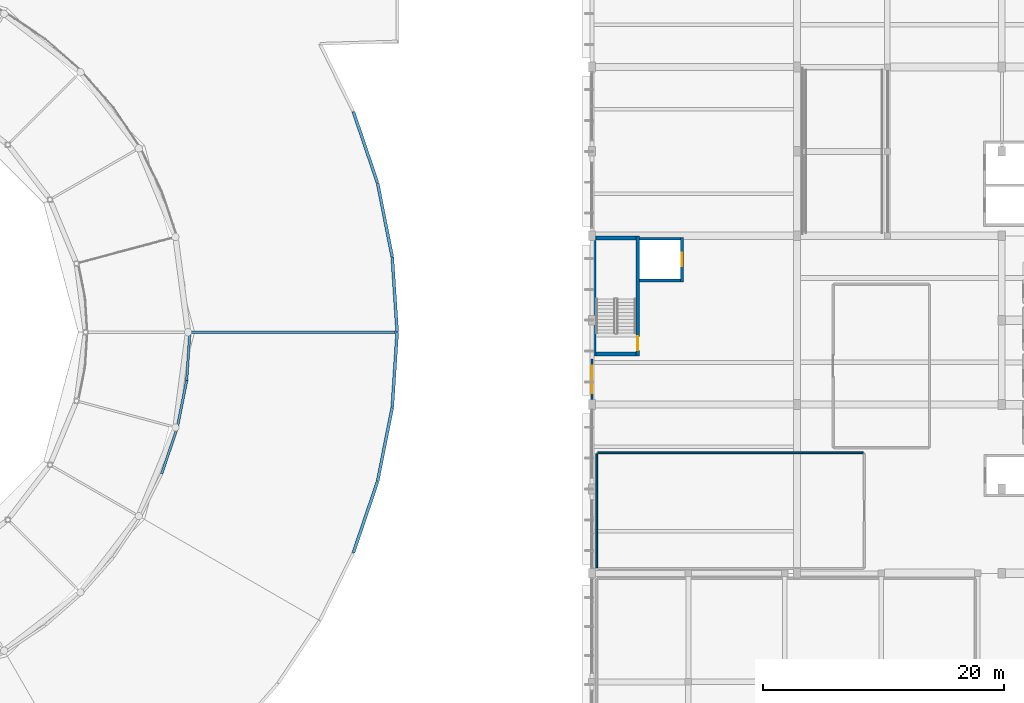
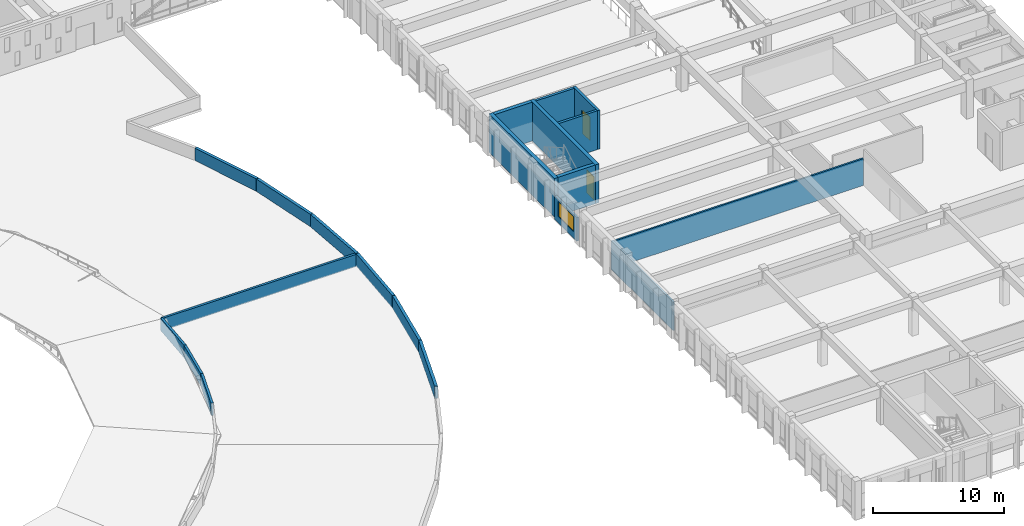
# One storey, part 54 of 77: 20 walls, 2 doors, 1 window, 3 openings.
"""IFC4 building model written with IfcOpenShell, lengths in metres."""

from ifc_helpers import new_model, si_unit, direction, frame, frame_2d, origin, place, context, subcontext, project, spatial, rectangle, extrude, material, layer, layer_set, type_object, element, fill, save


model = new_model("IFC4")

# Units and contexts
model_context = context("Model", 3, precision=1e-05, world=origin(), true_north=direction((0.0, 1.0)))
body_context = subcontext(model_context, "Body", "Model", "MODEL_VIEW")
ifc_project = project(units=[si_unit("LENGTHUNIT", "METRE"), si_unit("AREAUNIT", "SQUARE_METRE"), si_unit("VOLUMEUNIT", "CUBIC_METRE"), si_unit("PLANEANGLEUNIT", "RADIAN"), si_unit("MASSUNIT", "GRAM", prefix="KILO")], contexts=[model_context])

# Site, building, storey
site_placement = place(None, origin())
site = spatial("IfcSite", under=ifc_project, at=site_placement, CompositionType="ELEMENT")
building_placement = place(site_placement, origin())
building = spatial("IfcBuilding", under=site, at=building_placement, Name="Larkveld Mobility Hub", CompositionType="ELEMENT")
storey_placement = place(building_placement, frame((0.0, 0.0, 12.0)))
storey = spatial("IfcBuildingStorey", under=building, at=storey_placement, Name="L03", CompositionType="ELEMENT", Elevation=12.0)

# Wall, opening, window
ifc_material_1 = material(Name="Glazed architectural ceramic masonry 20 MPa", Category="masonry")
ifc_layer_1 = layer(ifc_material_1, 0.179931640625, Name="Glazed architectural ceramic masonry 20 MPa", Category="masonry")
ifc_layer_set_1 = layer_set([ifc_layer_1], Name="Glazed architectural ceramic masonry 20 MPa")
wall_type_1 = type_object("IfcWallType", Name="WL-COB-180", PredefinedType="USERDEFINED", material=ifc_layer_set_1)
wall_1_placement = place(storey_placement, frame((112.0, 45.77001953125, 0.0), z_axis=(0.0, 0.0, 1.0), x_axis=(0.0, -1.0, 0.0)))
wall_1 = element("IfcWall", 1, at=wall_1_placement, inside=storey, type_object=wall_type_1, Name="EV Wing West Ventilated Facade L03-0234", ObjectType="CERAMIC COBOGO SCREEN", PredefinedType="USERDEFINED", context=body_context, shape_type="SweptSolid", body=[
    extrude(rectangle(XDim=3.360107421875, YDim=0.179931640625, at=frame_2d((1.68017578125, 0.0))), origin(), (0.0, 0.0, 1.0), 2.195068359375),
])
opening_1_placement = place(wall_1_placement, frame((0.530029296875, 0.0, 0.594970703125)))
opening_1 = element("IfcOpeningElement", 2, at=opening_1_placement, cuts=wall_1, Name="Opening W26", PredefinedType="OPENING", context=body_context, shape_type="SweptSolid", body=[
    extrude(rectangle(XDim=2.300048828125, YDim=1.39990234375, at=frame_2d((1.14990234375, 0.699951171875))), frame((0.0, 0.10009765625, 0.0), z_axis=(0.0, -1.0, 0.0), x_axis=(1.0, 0.0, 0.0)), (0.0, 0.0, 1.0), 0.199951171875),
])
ifc_material_2 = material(Name="Low-E double glazing in aluminium frame", Category="aluminium")
window_type = type_object("IfcWindowType", Name="WN-ALU-26", PartitioningType="SINGLE_PANEL", PredefinedType="WINDOW", material=ifc_material_2)
window_placement = place(opening_1_placement, origin())
window = element("IfcWindow", 3, at=window_placement, inside=storey, type_object=window_type, Name="Window W26 (1058)", OverallHeight=1.39990234375, OverallWidth=2.300048828125, PartitioningType="SINGLE_PANEL", PredefinedType="WINDOW", context=body_context, shape_type="SweptSolid", body=[
    extrude(rectangle(XDim=2.300048828125, YDim=1.39990234375, at=frame_2d((1.14990234375, 0.699951171875))), frame((0.0, 0.030029296875, 0.0), z_axis=(0.0, -1.0, 0.0), x_axis=(1.0, 0.0, 0.0)), (0.0, 0.0, 1.0), 0.06005859375),
])
fill(opening_1, window)

# Walls
ifc_material_3 = material(Name="Fired clay brick 25 MPa", Category="masonry")
ifc_layer_2 = layer(ifc_material_3, 0.199951171875, Name="Fired clay brick 25 MPa", Category="masonry")
ifc_layer_set_2 = layer_set([ifc_layer_2], Name="Fired clay brick 25 MPa")
wall_type_2 = type_object("IfcWallType", Name="WL-PAR-200", PredefinedType="PARAPET", material=ifc_layer_set_2)
wall_2_placement = place(storey_placement, frame((76.31689453125, 36.27099609375, 0.0), z_axis=(0.0, 0.0, 1.0), x_axis=(0.321557700371, 0.946889985865, 0.0)))
element("IfcWall", 4, at=wall_2_placement, inside=storey, type_object=wall_type_2, Name="Drum Flat Roof Inner Parapet 0325", PredefinedType="PARAPET", context=body_context, shape_type="SweptSolid", body=[
    extrude(rectangle(XDim=4.0087890625, YDim=0.199951171875, at=frame_2d((2.00439453125, 0.0))), origin(), (0.0, 0.0, 1.0), 1.14990234375),
])
wall_3_placement = place(storey_placement, frame((77.60595703125, 40.06689453125, 0.0), z_axis=(0.0, 0.0, 1.0), x_axis=(0.195050336869, 0.980793233096, 0.0)))
element("IfcWall", 5, at=wall_3_placement, inside=storey, type_object=wall_type_2, Name="Drum Flat Roof Inner Parapet 0326", PredefinedType="PARAPET", context=body_context, shape_type="SweptSolid", body=[
    extrude(rectangle(XDim=4.009033203125, YDim=0.199951171875, at=frame_2d((2.00439453125, 0.0))), origin(), (0.0, 0.0, 1.0), 1.14990234375),
])
wall_4_placement = place(storey_placement, frame((78.387939453125, 43.9990234375, 0.0), z_axis=(0.0, 0.0, 1.0), x_axis=(0.065334844062, 0.997863396539, 0.0)))
element("IfcWall", 6, at=wall_4_placement, inside=storey, type_object=wall_type_2, Name="Drum Flat Roof Inner Parapet 0327", PredefinedType="PARAPET", context=body_context, shape_type="SweptSolid", body=[
    extrude(rectangle(XDim=4.009521484375, YDim=0.199951171875, at=frame_2d((2.0048828125, 0.0))), origin(), (0.0, 0.0, 1.0), 1.14990234375),
])
wall_5_placement = place(storey_placement, frame((78.64990234375, 48.0, 0.0), z_axis=(0.0, 0.0, 1.0), x_axis=(1.0, 0.0, 0.0)))
element("IfcWall", 7, at=wall_5_placement, inside=storey, type_object=wall_type_2, Name="Drum Flat Roof End Parapet K48 0328", PredefinedType="PARAPET", context=body_context, shape_type="SweptSolid", body=[
    extrude(rectangle(XDim=17.0, YDim=0.199951171875, at=frame_2d((8.5, 0.0))), origin(), (0.0, 0.0, 1.0), 1.14990234375),
])
ifc_layer_3 = layer(ifc_material_3, 0.25, Name="Fired clay brick 25 MPa", Category="masonry")
ifc_layer_set_3 = layer_set([ifc_layer_3], Name="Fired clay brick 25 MPa")
wall_type_3 = type_object("IfcWallType", Name="WL-PAR-250", PredefinedType="PARAPET", material=ifc_layer_set_3)
wall_6_placement = place(storey_placement, frame((95.847900390625, 48.02392578125, 0.0), z_axis=(0.0, 0.0, 1.0), x_axis=(-0.065170180182, 0.997874164219, 0.0)))
element("IfcWall", 8, at=wall_6_placement, inside=storey, type_object=wall_type_3, Name="Drum Uniform Outer Brick Parapet 0250", PredefinedType="PARAPET", context=body_context, shape_type="SweptSolid", body=[
    extrude(rectangle(XDim=6.211181640625, YDim=0.25, at=frame_2d((3.10546875, 0.0))), origin(), (0.0, 0.0, 1.0), 1.14990234375),
])
wall_7_placement = place(storey_placement, frame((95.43603515625, 54.27001953125, 0.0), z_axis=(0.0, 0.0, 1.0), x_axis=(-0.195019632022, 0.980799338869, 0.0)))
element("IfcWall", 9, at=wall_7_placement, inside=storey, type_object=wall_type_3, Name="Drum Uniform Outer Brick Parapet 0251", PredefinedType="PARAPET", context=body_context, shape_type="SweptSolid", body=[
    extrude(rectangle(XDim=6.209228515625, YDim=0.25, at=frame_2d((3.1044921875, 0.0))), origin(), (0.0, 0.0, 1.0), 1.14990234375),
])
for number, where, z_axis, x_axis, name in (
    (10, (94.2119140625, 60.406982421875, 0.0), (0.0, 0.0, 1.0), (-0.321364960579, 0.946955417172, 0.0), "Drum Uniform Outer Brick Parapet 0252"),
    (11, (92.216064453125, 29.7119140625, 0.0), (0.0, 0.0, 1.0), (0.321364960579, 0.946955417172, 0.0), "Drum Uniform Outer Brick Parapet 0293"),
):
    element("IfcWall", number, at=place(storey_placement, frame(where, z_axis=z_axis, x_axis=x_axis)), inside=storey, type_object=wall_type_3, Name=name, PredefinedType="PARAPET", context=body_context, shape_type="SweptSolid", body=[
        extrude(rectangle(XDim=6.21044921875, YDim=0.25, at=frame_2d((3.105224609375, 0.0))), origin(), (0.0, 0.0, 1.0), 1.14990234375),
    ])
wall_8_placement = place(storey_placement, frame((94.22509765625, 35.639892578125, 0.0), z_axis=(0.0, 0.0, 1.0), x_axis=(0.195019632022, 0.980799338869, 0.0)))
element("IfcWall", 12, at=wall_8_placement, inside=storey, type_object=wall_type_3, Name="Drum Uniform Outer Brick Parapet 0294", PredefinedType="PARAPET", context=body_context, shape_type="SweptSolid", body=[
    extrude(rectangle(XDim=6.209228515625, YDim=0.25, at=frame_2d((3.1044921875, 0.0))), origin(), (0.0, 0.0, 1.0), 1.14990234375),
])
wall_9_placement = place(storey_placement, frame((95.443115234375, 41.778076171875, 0.0), z_axis=(0.0, 0.0, 1.0), x_axis=(0.065170180182, 0.997874164219, 0.0)))
element("IfcWall", 13, at=wall_9_placement, inside=storey, type_object=wall_type_3, Name="Drum Uniform Outer Brick Parapet 0295", PredefinedType="PARAPET", context=body_context, shape_type="SweptSolid", body=[
    extrude(rectangle(XDim=6.211181640625, YDim=0.25, at=frame_2d((3.10546875, 0.0))), origin(), (0.0, 0.0, 1.0), 1.14990234375),
])
ifc_material_4 = material(Name="Concrete blockwork masonry 14 MPa", Category="masonry")
ifc_layer_4 = layer(ifc_material_4, 0.14990234375, Name="Concrete blockwork masonry 14 MPa", Category="masonry")
ifc_layer_set_4 = layer_set([ifc_layer_4], Name="Concrete blockwork masonry 14 MPa")
wall_type_4 = type_object("IfcWallType", Name="WL-PRT-150", PredefinedType="PARTITIONING", material=ifc_layer_set_4)
wall_10_placement = place(storey_placement, frame((112.47998046875, 38.0, 0.0), z_axis=(0.0, 0.0, 1.0), x_axis=(1.0, 0.0, 0.0)))
element("IfcWall", 14, at=wall_10_placement, inside=storey, type_object=wall_type_4, Name="Public Transport Customer Service Office Partition 0175", PredefinedType="PARTITIONING", context=body_context, shape_type="SweptSolid", body=[
    extrude(rectangle(XDim=22.0400390625, YDim=0.14990234375, at=frame_2d((11.02001953125, 0.0))), origin(), (0.0, 0.0, 1.0), 2.4951171875),
])
wall_11_placement = place(storey_placement, frame((112.39990234375, 28.47998046875, 0.0), z_axis=(0.0, 0.0, 1.0), x_axis=(0.0, 1.0, 0.0)))
element("IfcWall", 15, at=wall_11_placement, inside=storey, type_object=wall_type_4, Name="Public Transport Customer Service Office Partition 0176", PredefinedType="PARTITIONING", context=body_context, shape_type="SweptSolid", body=[
    extrude(rectangle(XDim=9.43994140625, YDim=0.14990234375, at=frame_2d((4.719970703125, 0.0))), origin(), (0.0, 0.0, 1.0), 2.655029296875),
])

# Wall, opening, door
ifc_material_5 = material(Name="Concrete C40/50", Category="concrete")
ifc_layer_5 = layer(ifc_material_5, 0.219970703125, Name="Concrete C40/50", Category="concrete")
ifc_layer_set_5 = layer_set([ifc_layer_5], Name="Concrete C40/50")
wall_type_5 = type_object("IfcWallType", Name="WL-SHF-220", PredefinedType="SHEAR", material=ifc_layer_set_5)
wall_12_placement = place(storey_placement, frame((119.469970703125, 55.8701171875, 0.0), z_axis=(0.0, 0.0, 1.0), x_axis=(0.0, -1.0, 0.0)))
wall_12 = element("IfcWall", 16, at=wall_12_placement, inside=storey, type_object=wall_type_5, Name="Lift PL2 Shaft Wall L03-E", PredefinedType="SHEAR", context=body_context, shape_type="SweptSolid", body=[
    extrude(rectangle(XDim=3.690185546875, YDim=0.219970703125, at=frame_2d((1.84521484375, 0.0))), origin(), (0.0, 0.0, 1.0), 3.60009765625),
])
opening_2_placement = place(wall_12_placement, frame((1.294921875, 0.0, 0.0)))
opening_2 = element("IfcOpeningElement", 17, at=opening_2_placement, cuts=wall_12, Name="Opening LD01", PredefinedType="OPENING", context=body_context, shape_type="SweptSolid", body=[
    extrude(rectangle(XDim=1.10009765625, YDim=2.199951171875, at=frame_2d((0.550048828125, 1.10009765625))), frame((0.0, 0.1201171875, 0.0), z_axis=(0.0, -1.0, 0.0), x_axis=(1.0, 0.0, 0.0)), (0.0, 0.0, 1.0), 0.239990234375),
])
ifc_material_6 = material(Name="Brushed stainless Steel S355JR sliding landing door", Category="steel")
door_type_1 = type_object("IfcDoorType", Name="DR-LD-110", OperationType="DOUBLE_DOOR_SLIDING", PredefinedType="DOOR", material=ifc_material_6)
door_1_placement = place(opening_2_placement, origin())
door_1 = element("IfcDoor", 18, at=door_1_placement, inside=storey, type_object=door_type_1, Name="Lift landing door PL2-L03", OperationType="DOUBLE_DOOR_SLIDING", OverallHeight=2.199951171875, OverallWidth=1.10009765625, PredefinedType="DOOR", context=body_context, shape_type="SweptSolid", body=[
    extrude(rectangle(XDim=1.10009765625, YDim=2.199951171875, at=frame_2d((0.550048828125, 1.10009765625))), frame((0.0, 0.02490234375, 0.0), z_axis=(0.0, -1.0, 0.0), x_axis=(1.0, 0.0, 0.0)), (0.0, 0.0, 1.0), 0.050048828125),
])
fill(opening_2, door_1)

# Walls
for number, where, z_axis, x_axis, name in (
    (19, (119.360107421875, 52.2900390625, 0.0), (0.0, 0.0, 1.0), (-1.0, 0.0, 0.0), "Lift PL2 Shaft Wall L03-S"),
    (20, (115.9599609375, 55.760009765625, 0.0), (0.0, 0.0, 1.0), (1.0, 0.0, 0.0), "Lift PL2 Shaft Wall L03-N"),
):
    element("IfcWall", number, at=place(storey_placement, frame(where, z_axis=z_axis, x_axis=x_axis)), inside=storey, type_object=wall_type_5, Name=name, PredefinedType="SHEAR", context=body_context, shape_type="SweptSolid", body=[
        extrude(rectangle(XDim=3.400146484375, YDim=0.219970703125, at=frame_2d((1.7001953125, 0.0))), origin(), (0.0, 0.0, 1.0), 3.60009765625),
    ])
ifc_layer_6 = layer(ifc_material_5, 0.320068359375, Name="Concrete C40/50", Category="concrete")
ifc_layer_set_6 = layer_set([ifc_layer_6], Name="Concrete C40/50")
wall_type_6 = type_object("IfcWallType", Name="WL-SHR-03", PredefinedType="SHEAR", material=ifc_layer_set_6)
wall_13_placement = place(storey_placement, frame((112.18994140625, 46.030029296875, 0.0), z_axis=(0.0, 0.0, 1.0), x_axis=(0.0, 1.0, 0.0)))
element("IfcWall", 21, at=wall_13_placement, inside=storey, type_object=wall_type_6, Name="Core C3 Stair Shear Wall L03-W", PredefinedType="SHEAR", context=body_context, shape_type="SweptSolid", body=[
    extrude(rectangle(XDim=9.93994140625, YDim=0.320068359375, at=frame_2d((4.969970703125, 0.0))), origin(), (0.0, 0.0, 1.0), 3.60009765625),
])

# Wall, opening, door
wall_14_placement = place(storey_placement, frame((115.800048828125, 55.969970703125, 0.0), z_axis=(0.0, 0.0, 1.0), x_axis=(0.0, -1.0, 0.0)))
wall_14 = element("IfcWall", 22, at=wall_14_placement, inside=storey, type_object=wall_type_6, Name="Core C3 Stair Shear Wall L03-E", PredefinedType="SHEAR", context=body_context, shape_type="SweptSolid", body=[
    extrude(rectangle(XDim=9.93994140625, YDim=0.320068359375, at=frame_2d((4.969970703125, 0.0))), origin(), (0.0, 0.0, 1.0), 3.60009765625),
])
opening_3_placement = place(wall_14_placement, frame((8.320068359375, 0.0, 0.0)))
opening_3 = element("IfcOpeningElement", 23, at=opening_3_placement, cuts=wall_14, Name="Opening DF01", PredefinedType="OPENING", context=body_context, shape_type="SweptSolid", body=[
    extrude(rectangle(XDim=1.14990234375, YDim=2.14990234375, at=frame_2d((0.574951171875, 1.074951171875))), frame((0.0, 0.169921875, 0.0), z_axis=(0.0, -1.0, 0.0), x_axis=(1.0, 0.0, 0.0)), (0.0, 0.0, 1.0), 0.340087890625),
])
ifc_material_7 = material(Name="Pressed Steel S355JR fire door assembly", Category="steel")
door_type_2 = type_object("IfcDoorType", Name="DR-FD120", OperationType="NOTDEFINED", PredefinedType="DOOR", material=ifc_material_7)
door_2_placement = place(opening_3_placement, origin())
door_2 = element("IfcDoor", 24, at=door_2_placement, inside=storey, type_object=door_type_2, Name="Stair ST3 Fire Door L03", OperationType="SINGLE_SWING_LEFT", OverallHeight=2.14990234375, OverallWidth=1.14990234375, PredefinedType="DOOR", context=body_context, shape_type="SweptSolid", body=[
    extrude(rectangle(XDim=1.14990234375, YDim=2.14990234375, at=frame_2d((0.574951171875, 1.074951171875))), frame((0.0, 0.02490234375, 0.0), z_axis=(0.0, -1.0, 0.0), x_axis=(1.0, 0.0, 0.0)), (0.0, 0.0, 1.0), 0.050048828125),
])
fill(opening_3, door_2)

# Walls
for number, where, z_axis, x_axis, name in (
    (25, (115.639892578125, 46.18994140625, 0.0), (0.0, 0.0, 1.0), (-1.0, 0.0, 0.0), "Core C3 Stair Shear Wall L03-S"),
    (26, (112.35009765625, 55.81005859375, 0.0), (0.0, 0.0, 1.0), (1.0, 0.0, 0.0), "Core C3 Stair Shear Wall L03-N"),
):
    element("IfcWall", number, at=place(storey_placement, frame(where, z_axis=z_axis, x_axis=x_axis)), inside=storey, type_object=wall_type_6, Name=name, PredefinedType="SHEAR", context=body_context, shape_type="SweptSolid", body=[
        extrude(rectangle(XDim=3.289794921875, YDim=0.320068359375, at=frame_2d((1.64501953125, 0.0))), origin(), (0.0, 0.0, 1.0), 3.60009765625),
    ])

save(model, "model.ifc")
